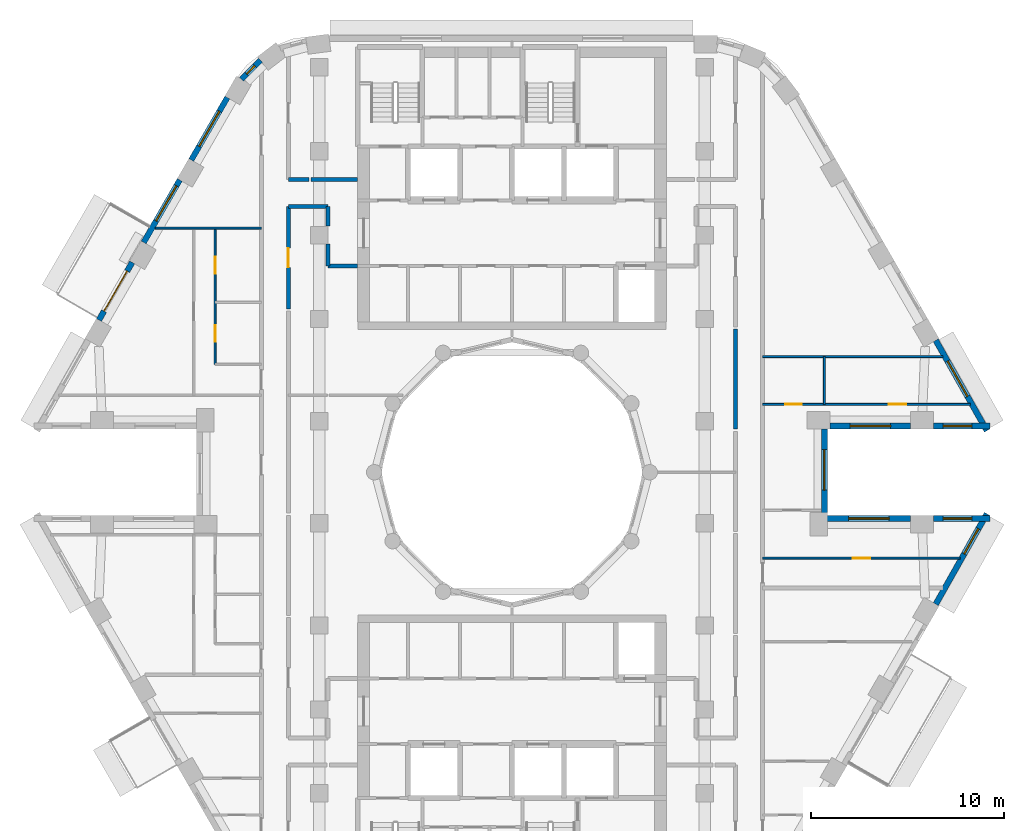
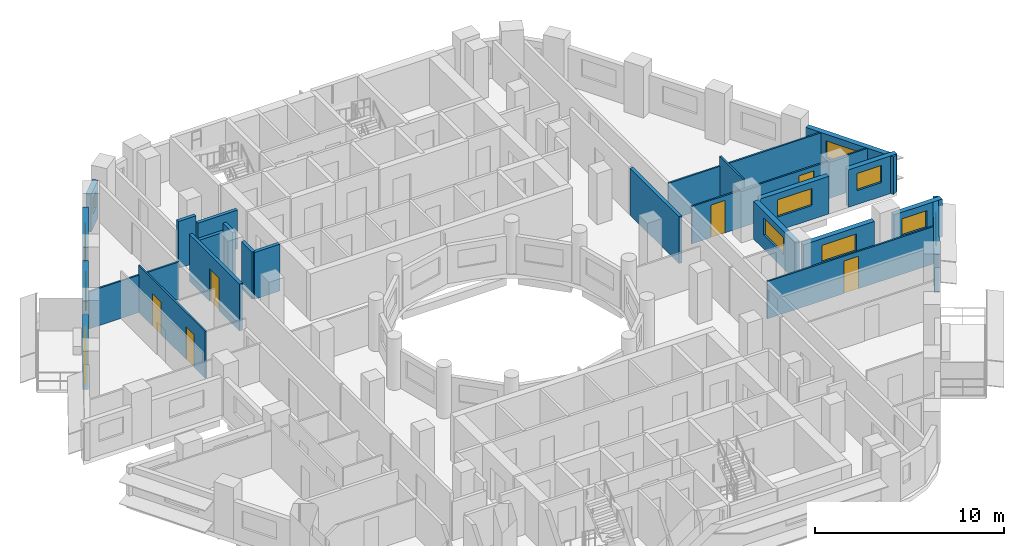
# One storey, part 7 of 17: 25 walls, 10 windows, 7 doors, 17 openings.
"""IFC4 building model written with IfcOpenShell, lengths in metres."""

from ifc_helpers import new_model, si_unit, direction, frame, frame_2d, origin, place, context, subcontext, project, spatial, rectangle, extrude, material, layer, layer_set, type_object, element, fill, save


model = new_model("IFC4")

# Units and contexts
model_context = context("Model", 3, precision=1e-05, world=origin(), true_north=direction((0.0, 1.0)))
body_context = subcontext(model_context, "Body", "Model", "MODEL_VIEW")
ifc_project = project(units=[si_unit("LENGTHUNIT", "METRE"), si_unit("AREAUNIT", "SQUARE_METRE"), si_unit("VOLUMEUNIT", "CUBIC_METRE"), si_unit("PLANEANGLEUNIT", "RADIAN"), si_unit("MASSUNIT", "GRAM", prefix="KILO")], contexts=[model_context])

# Site, building, storey
site_placement = place(None, origin())
site = spatial("IfcSite", under=ifc_project, at=site_placement, CompositionType="ELEMENT")
building_placement = place(site_placement, origin())
building = spatial("IfcBuilding", under=site, at=building_placement, Name="Nakaniwa Court", CompositionType="ELEMENT")
storey_placement = place(building_placement, frame((0.0, 0.0, 203.10009765625)))
storey = spatial("IfcBuildingStorey", under=building, at=storey_placement, Name="L53", CompositionType="ELEMENT", Elevation=203.10009765625)

# Walls
ifc_material_1 = material(Name="Acoustic double stud partition")
ifc_layer_1 = layer(ifc_material_1, 0.199951171875)
ifc_layer_set_1 = layer_set([ifc_layer_1], Name="Acoustic double stud partition")
wall_type_1 = type_object("IfcWallType", Name="Acoustic double stud partition 200", PredefinedType="PARTITIONING", material=ifc_layer_set_1)
wall_1_placement = place(storey_placement, frame((91.60009765625, 82.2373046875, 0.0), z_axis=(0.0, 0.0, 1.0), x_axis=(0.0, 1.0, 0.0)))
element("IfcWall", 1, at=wall_1_placement, inside=storey, type_object=wall_type_1, Name="Partition PW-077", PredefinedType="PARTITIONING", context=body_context, shape_type="SweptSolid", body=[
    extrude(rectangle(XDim=5.185546875, YDim=0.199951171875, at=frame_2d((2.5927734375, 0.0))), origin(), (0.0, 0.0, 1.0), 3.02490234375),
])
wall_2_placement = place(storey_placement, frame((68.39990234375, 93.77490234375, 0.0), z_axis=(0.0, 0.0, 1.0), x_axis=(1.0, 0.0, 0.0)))
element("IfcWall", 2, at=wall_2_placement, inside=storey, type_object=wall_type_1, Name="Partition PW-093", PredefinedType="PARTITIONING", context=body_context, shape_type="SweptSolid", body=[
    extrude(rectangle(XDim=2.050048828125, YDim=0.199951171875, at=frame_2d((1.02490234375, 0.0))), origin(), (0.0, 0.0, 1.0), 2.5048828125),
])
wall_3_placement = place(storey_placement, frame((70.449951171875, 90.699951171875, 0.0), z_axis=(0.0, 0.0, 1.0), x_axis=(1.0, 0.0, 0.0)))
element("IfcWall", 3, at=wall_3_placement, inside=storey, type_object=wall_type_1, Name="Partition PW-095", PredefinedType="PARTITIONING", context=body_context, shape_type="SweptSolid", body=[
    extrude(rectangle(XDim=1.550048828125, YDim=0.199951171875, at=frame_2d((0.77490234375, 0.0))), origin(), (0.0, 0.0, 1.0), 3.02490234375),
])
wall_4_placement = place(storey_placement, frame((68.39990234375, 95.175048828125, 0.0), z_axis=(0.0, 0.0, 1.0), x_axis=(1.0, 0.0, 0.0)))
element("IfcWall", 4, at=wall_4_placement, inside=storey, type_object=wall_type_1, Name="Partition PW-097", PredefinedType="PARTITIONING", context=body_context, shape_type="SweptSolid", body=[
    extrude(rectangle(XDim=1.072998046875, YDim=0.199951171875, at=frame_2d((0.53662109375, 0.0))), origin(), (0.0, 0.0, 1.0), 3.02490234375),
])
wall_5_placement = place(storey_placement, frame((69.587158203125, 95.175048828125, 0.0), z_axis=(0.0, 0.0, 1.0), x_axis=(1.0, 0.0, 0.0)))
element("IfcWall", 5, at=wall_5_placement, inside=storey, type_object=wall_type_1, Name="Partition PW-098", PredefinedType="PARTITIONING", context=body_context, shape_type="SweptSolid", body=[
    extrude(rectangle(XDim=2.412841796875, YDim=0.199951171875, at=frame_2d((1.20654296875, 0.0))), origin(), (0.0, 0.0, 1.0), 2.5048828125),
])

# Wall, opening, door
wall_6_placement = place(storey_placement, frame((68.39990234375, 93.77490234375, 0.0), z_axis=(0.0, 0.0, 1.0), x_axis=(0.0, -1.0, 0.0)))
wall_6 = element("IfcWall", 6, at=wall_6_placement, inside=storey, type_object=wall_type_1, Name="Partition PW-105", PredefinedType="PARTITIONING", context=body_context, shape_type="SweptSolid", body=[
    extrude(rectangle(XDim=5.297607421875, YDim=0.199951171875, at=frame_2d((2.64892578125, 0.0))), origin(), (0.0, 0.0, 1.0), 3.02490234375),
])
opening_1_placement = place(wall_6_placement, frame((2.14794921875, 0.0, 0.0)))
opening_1 = element("IfcOpeningElement", 7, at=opening_1_placement, cuts=wall_6, Name="Opening D-02-06", PredefinedType="OPENING", context=body_context, shape_type="SweptSolid", body=[
    extrude(rectangle(XDim=1.0, YDim=2.10009765625, at=frame_2d((0.5, 1.050048828125))), frame((0.0, 0.10986328125, 0.0), z_axis=(0.0, -1.0, 0.0), x_axis=(1.0, 0.0, 0.0)), (0.0, 0.0, 1.0), 0.219970703125),
])
ifc_material_2 = material(Name="Solid core timber door set, black veneer", Category="wood")
door_type_1 = type_object("IfcDoorType", Name="Internal door 1000", OperationType="NOTDEFINED", PredefinedType="DOOR", material=ifc_material_2)
door_1_placement = place(opening_1_placement, origin())
door_1 = element("IfcDoor", 8, at=door_1_placement, inside=storey, type_object=door_type_1, Name="Door D-02-06 L53-051", OperationType="SINGLE_SWING_RIGHT", OverallHeight=2.10009765625, OverallWidth=1.0, PredefinedType="DOOR", context=body_context, shape_type="SweptSolid", body=[
    extrude(rectangle(XDim=1.0, YDim=2.10009765625, at=frame_2d((0.5, 1.050048828125))), frame((0.0, 0.02490234375, 0.0), z_axis=(0.0, -1.0, 0.0), x_axis=(1.0, 0.0, 0.0)), (0.0, 0.0, 1.0), 0.050048828125),
])
fill(opening_1, door_1)

# Walls
wall_7_placement = place(storey_placement, frame((70.449951171875, 90.699951171875, 0.0), z_axis=(0.0, 0.0, 1.0), x_axis=(0.0, 1.0, 0.0)))
element("IfcWall", 9, at=wall_7_placement, inside=storey, type_object=wall_type_1, Name="Partition PW-110", PredefinedType="PARTITIONING", context=body_context, shape_type="SweptSolid", body=[
    extrude(rectangle(XDim=1.1328125, YDim=0.199951171875, at=frame_2d((0.56640625, 0.0))), origin(), (0.0, 0.0, 1.0), 3.02490234375),
])
wall_8_placement = place(storey_placement, frame((70.449951171875, 92.76708984375, 0.0), z_axis=(0.0, 0.0, 1.0), x_axis=(0.0, 1.0, 0.0)))
element("IfcWall", 10, at=wall_8_placement, inside=storey, type_object=wall_type_1, Name="Partition PW-111", PredefinedType="PARTITIONING", context=body_context, shape_type="SweptSolid", body=[
    extrude(rectangle(XDim=1.0078125, YDim=0.199951171875, at=frame_2d((0.50390625, 0.0))), origin(), (0.0, 0.0, 1.0), 3.02490234375),
])

# Wall, opening, window
ifc_material_3 = material(Name="Charcoal ceramic cladding")
ifc_layer_2 = layer(ifc_material_3, 0.02, Name="Ceramic cladding")
ifc_material_4 = material(Name="Ventilated air cavity")
ifc_layer_3 = layer(ifc_material_4, 0.04, ventilated=True, Name="Ventilated cavity")
ifc_material_5 = material(Name="Mineral wool insulation")
ifc_layer_4 = layer(ifc_material_5, 0.1, Name="Insulation")
ifc_material_6 = material(Name="Cement bonded sheathing board")
ifc_layer_5 = layer(ifc_material_6, 0.012, Name="Sheathing")
ifc_material_7 = material(Name="Cold-formed galvanised stud frame with mineral wool infill")
ifc_layer_6 = layer(ifc_material_7, 0.1, Name="Stud frame")
ifc_material_8 = material(Name="Fire-rated gypsum plasterboard lining")
ifc_layer_7 = layer(ifc_material_8, 0.028, Name="Lining")
ifc_layer_set_2 = layer_set([ifc_layer_2, ifc_layer_3, ifc_layer_4, ifc_layer_5, ifc_layer_6, ifc_layer_7], Name="Charcoal ceramic faced external wall system")
wall_type_2 = type_object("IfcWallType", Name="Black ceramic faced external wall 300", PredefinedType="SOLIDWALL", material=ifc_layer_set_2)
wall_9_placement = place(storey_placement, frame((96.49560546875, 82.39990234375, 0.0), z_axis=(0.0, 0.0, 1.0), x_axis=(1.0, 0.0, 0.0)))
wall_9 = element("IfcWall", 11, at=wall_9_placement, inside=storey, type_object=wall_type_2, Name="L53 external wall 00", PredefinedType="SOLIDWALL", context=body_context, shape_type="SweptSolid", body=[
    extrude(rectangle(XDim=4.17236328125, YDim=0.300048828125, at=frame_2d((2.086181640625, 0.0))), origin(), (0.0, 0.0, 1.0), 2.4248046875),
])
opening_2_placement = place(wall_9_placement, frame((1.036376953125, 0.0, 0.89990234375)))
opening_2 = element("IfcOpeningElement", 12, at=opening_2_placement, cuts=wall_9, Name="Opening W7.01", PredefinedType="OPENING", context=body_context, shape_type="SweptSolid", body=[
    extrude(rectangle(XDim=2.10009765625, YDim=1.10009765625, at=frame_2d((1.050048828125, 0.550048828125))), frame((0.0, 0.159912109375, 0.0), z_axis=(0.0, -1.0, 0.0), x_axis=(1.0, 0.0, 0.0)), (0.0, 0.0, 1.0), 0.320068359375),
])
ifc_material_9 = material(Name="Black anodised aluminium frame with dark low-E laminated double glazing", Category="aluminium")
window_type_1 = type_object("IfcWindowType", Name="Dark glass window 2100x1100 sill 900", PartitioningType="SINGLE_PANEL", PredefinedType="WINDOW", material=ifc_material_9)
window_1_placement = place(opening_2_placement, origin())
window_1 = element("IfcWindow", 13, at=window_1_placement, inside=storey, type_object=window_type_1, Name="L53 living window 00-0", OverallHeight=1.10009765625, OverallWidth=2.10009765625, PartitioningType="SINGLE_PANEL", PredefinedType="WINDOW", context=body_context, shape_type="SweptSolid", body=[
    extrude(rectangle(XDim=2.10009765625, YDim=1.10009765625, at=frame_2d((1.050048828125, 0.550048828125))), frame((0.0, 0.030029296875, 0.0), z_axis=(0.0, -1.0, 0.0), x_axis=(1.0, 0.0, 0.0)), (0.0, 0.0, 1.0), 0.06005859375),
])
fill(opening_2, window_1)

wall_10_placement = place(storey_placement, frame((101.860107421875, 82.39990234375, 0.0), z_axis=(0.0, 0.0, 1.0), x_axis=(1.0, 0.0, 0.0)))
wall_10 = element("IfcWall", 14, at=wall_10_placement, inside=storey, type_object=wall_type_2, Name="L53 external wall 01", PredefinedType="SOLIDWALL", context=body_context, shape_type="SweptSolid", body=[
    extrude(rectangle(XDim=2.937744140625, YDim=0.300048828125, at=frame_2d((1.46875, 0.0))), origin(), (0.0, 0.0, 1.0), 2.4248046875),
])
opening_3_placement = place(wall_10_placement, frame((0.493896484375, 0.0, 0.89990234375)))
opening_3 = element("IfcOpeningElement", 15, at=opening_3_placement, cuts=wall_10, Name="Opening W5.02", PredefinedType="OPENING", context=body_context, shape_type="SweptSolid", body=[
    extrude(rectangle(XDim=1.5, YDim=1.10009765625, at=frame_2d((0.75, 0.550048828125))), frame((0.0, 0.159912109375, 0.0), z_axis=(0.0, -1.0, 0.0), x_axis=(1.0, 0.0, 0.0)), (0.0, 0.0, 1.0), 0.320068359375),
])
window_type_2 = type_object("IfcWindowType", Name="Dark glass window 1500x1100 sill 900", PartitioningType="SINGLE_PANEL", PredefinedType="WINDOW", material=ifc_material_9)
window_2_placement = place(opening_3_placement, origin())
window_2 = element("IfcWindow", 16, at=window_2_placement, inside=storey, type_object=window_type_2, Name="L53 living window 01-0", OverallHeight=1.10009765625, OverallWidth=1.5, PartitioningType="SINGLE_PANEL", PredefinedType="WINDOW", context=body_context, shape_type="SweptSolid", body=[
    extrude(rectangle(XDim=1.5, YDim=1.10009765625, at=frame_2d((0.75, 0.550048828125))), frame((0.0, 0.030029296875, 0.0), z_axis=(0.0, -1.0, 0.0), x_axis=(1.0, 0.0, 0.0)), (0.0, 0.0, 1.0), 0.06005859375),
])
fill(opening_3, window_2)

wall_11_placement = place(storey_placement, frame((104.627197265625, 82.153564453125, 0.0), z_axis=(0.0, 0.0, 1.0), x_axis=(-0.492033360928, 0.870576344575, 0.0)))
wall_11 = element("IfcWall", 17, at=wall_11_placement, inside=storey, type_object=wall_type_2, Name="L53 external wall 02", PredefinedType="SOLIDWALL", context=body_context, shape_type="SweptSolid", body=[
    extrude(rectangle(XDim=5.38671875, YDim=0.300048828125, at=frame_2d((2.693359375, 0.0))), origin(), (0.0, 0.0, 1.0), 2.4248046875),
])
opening_4_placement = place(wall_11_placement, frame((2.04296875, 0.0, 0.89990234375)))
opening_4 = element("IfcOpeningElement", 18, at=opening_4_placement, cuts=wall_11, Name="Opening W7.03", PredefinedType="OPENING", context=body_context, shape_type="SweptSolid", body=[
    extrude(rectangle(XDim=2.10009765625, YDim=1.10009765625, at=frame_2d((1.050048828125, 0.550048828125))), frame((0.0, 0.159912109375, 0.0), z_axis=(0.0, -1.0, 0.0), x_axis=(1.0, 0.0, 0.0)), (0.0, 0.0, 1.0), 0.320068359375),
])
window_3_placement = place(opening_4_placement, origin())
window_3 = element("IfcWindow", 19, at=window_3_placement, inside=storey, type_object=window_type_1, Name="L53 habitable room window 02-1", OverallHeight=1.10009765625, OverallWidth=2.10009765625, PartitioningType="SINGLE_PANEL", PredefinedType="WINDOW", context=body_context, shape_type="SweptSolid", body=[
    extrude(rectangle(XDim=2.10009765625, YDim=1.10009765625, at=frame_2d((1.050048828125, 0.550048828125))), frame((0.0, 0.030029296875, 0.0), z_axis=(0.0, -1.0, 0.0), x_axis=(1.0, 0.0, 0.0)), (0.0, 0.0, 1.0), 0.06005859375),
])
fill(opening_4, window_3)

wall_12_placement = place(storey_placement, frame((66.951904296875, 101.36328125, 0.0), z_axis=(0.0, 0.0, 1.0), x_axis=(-0.70869320446, -0.705516790695, 0.0)))
wall_12 = element("IfcWall", 20, at=wall_12_placement, inside=storey, type_object=wall_type_2, Name="L53 external wall 10", PredefinedType="SOLIDWALL", context=body_context, shape_type="SweptSolid", body=[
    extrude(rectangle(XDim=1.383544921875, YDim=0.300048828125, at=frame_2d((0.69189453125, 0.0))), origin(), (0.0, 0.0, 1.0), 2.4248046875),
])
opening_5_placement = place(wall_12_placement, frame((0.407958984375, 0.0, 0.89990234375)))
opening_5 = element("IfcOpeningElement", 21, at=opening_5_placement, cuts=wall_12, Name="Opening W8.12", PredefinedType="OPENING", context=body_context, shape_type="SweptSolid", body=[
    extrude(rectangle(XDim=0.60009765625, YDim=1.10009765625, at=frame_2d((0.300048828125, 0.550048828125))), frame((0.0, 0.159912109375, 0.0), z_axis=(0.0, -1.0, 0.0), x_axis=(1.0, 0.0, 0.0)), (0.0, 0.0, 1.0), 0.320068359375),
])
window_type_3 = type_object("IfcWindowType", Name="Dark glass window 600x1100 sill 900", PartitioningType="SINGLE_PANEL", PredefinedType="WINDOW", material=ifc_material_9)
window_4_placement = place(opening_5_placement, origin())
window_4 = element("IfcWindow", 22, at=window_4_placement, inside=storey, type_object=window_type_3, Name="L53 habitable room window 10-1", OverallHeight=1.10009765625, OverallWidth=0.60009765625, PartitioningType="SINGLE_PANEL", PredefinedType="WINDOW", context=body_context, shape_type="SweptSolid", body=[
    extrude(rectangle(XDim=0.60009765625, YDim=1.10009765625, at=frame_2d((0.300048828125, 0.550048828125))), frame((0.0, 0.030029296875, 0.0), z_axis=(0.0, -1.0, 0.0), x_axis=(1.0, 0.0, 0.0)), (0.0, 0.0, 1.0), 0.06005859375),
])
fill(opening_5, window_4)

wall_13_placement = place(storey_placement, frame((65.239013671875, 99.433349609375, 0.0), z_axis=(0.0, 0.0, 1.0), x_axis=(-0.499982088007, -0.866035745032, 0.0)))
wall_13 = element("IfcWall", 23, at=wall_13_placement, inside=storey, type_object=wall_type_2, Name="L53 external wall 11", PredefinedType="SOLIDWALL", context=body_context, shape_type="SweptSolid", body=[
    extrude(rectangle(XDim=3.744384765625, YDim=0.300048828125, at=frame_2d((1.8720703125, 0.0))), origin(), (0.0, 0.0, 1.0), 2.4248046875),
])
opening_6_placement = place(wall_13_placement, frame((0.822265625, 0.0, 0.89990234375)))
opening_6 = element("IfcOpeningElement", 24, at=opening_6_placement, cuts=wall_13, Name="Opening W7.13", PredefinedType="OPENING", context=body_context, shape_type="SweptSolid", body=[
    extrude(rectangle(XDim=2.10009765625, YDim=1.10009765625, at=frame_2d((1.050048828125, 0.550048828125))), frame((0.0, 0.159912109375, 0.0), z_axis=(0.0, -1.0, 0.0), x_axis=(1.0, 0.0, 0.0)), (0.0, 0.0, 1.0), 0.320068359375),
])
window_5_placement = place(opening_6_placement, origin())
window_5 = element("IfcWindow", 25, at=window_5_placement, inside=storey, type_object=window_type_1, Name="L53 habitable room window 11-0", OverallHeight=1.10009765625, OverallWidth=2.10009765625, PartitioningType="SINGLE_PANEL", PredefinedType="WINDOW", context=body_context, shape_type="SweptSolid", body=[
    extrude(rectangle(XDim=2.10009765625, YDim=1.10009765625, at=frame_2d((1.050048828125, 0.550048828125))), frame((0.0, 0.030029296875, 0.0), z_axis=(0.0, -1.0, 0.0), x_axis=(1.0, 0.0, 0.0)), (0.0, 0.0, 1.0), 0.06005859375),
])
fill(opening_6, window_5)

wall_14_placement = place(storey_placement, frame((62.77099609375, 95.158447265625, 0.0), z_axis=(0.0, 0.0, 1.0), x_axis=(-0.500059225181, -0.86599120741, 0.0)))
wall_14 = element("IfcWall", 26, at=wall_14_placement, inside=storey, type_object=wall_type_2, Name="L53 external wall 12", PredefinedType="SOLIDWALL", context=body_context, shape_type="SweptSolid", body=[
    extrude(rectangle(XDim=3.744140625, YDim=0.300048828125, at=frame_2d((1.8720703125, 0.0))), origin(), (0.0, 0.0, 1.0), 2.4248046875),
])
opening_7_placement = place(wall_14_placement, frame((0.3544921875, 0.0, 0.89990234375)))
opening_7 = element("IfcOpeningElement", 27, at=opening_7_placement, cuts=wall_14, Name="Opening W7.14", PredefinedType="OPENING", context=body_context, shape_type="SweptSolid", body=[
    extrude(rectangle(XDim=2.10009765625, YDim=1.10009765625, at=frame_2d((1.050048828125, 0.550048828125))), frame((0.0, 0.159912109375, 0.0), z_axis=(0.0, -1.0, 0.0), x_axis=(1.0, 0.0, 0.0)), (0.0, 0.0, 1.0), 0.320068359375),
])
window_6_placement = place(opening_7_placement, origin())
window_6 = element("IfcWindow", 28, at=window_6_placement, inside=storey, type_object=window_type_1, Name="L53 habitable room window 12-0", OverallHeight=1.10009765625, OverallWidth=2.10009765625, PartitioningType="SINGLE_PANEL", PredefinedType="WINDOW", context=body_context, shape_type="SweptSolid", body=[
    extrude(rectangle(XDim=2.10009765625, YDim=1.10009765625, at=frame_2d((1.050048828125, 0.550048828125))), frame((0.0, 0.030029296875, 0.0), z_axis=(0.0, -1.0, 0.0), x_axis=(1.0, 0.0, 0.0)), (0.0, 0.0, 1.0), 0.06005859375),
])
fill(opening_7, window_6)

# Wall, opening, door
wall_15_placement = place(storey_placement, frame((60.302734375, 90.883544921875, 0.0), z_axis=(0.0, 0.0, 1.0), x_axis=(-0.499955427682, -0.866051136095, 0.0)))
wall_15 = element("IfcWall", 29, at=wall_15_placement, inside=storey, type_object=wall_type_2, Name="L53 external wall 13", PredefinedType="SOLIDWALL", context=body_context, shape_type="SweptSolid", body=[
    extrude(rectangle(XDim=3.447021484375, YDim=0.300048828125, at=frame_2d((1.7236328125, 0.0))), origin(), (0.0, 0.0, 1.0), 2.4248046875),
])
opening_8_placement = place(wall_15_placement, frame((0.5234375, 0.0, 0.0)))
opening_8 = element("IfcOpeningElement", 30, at=opening_8_placement, cuts=wall_15, Name="Opening XD13.01", PredefinedType="OPENING", context=body_context, shape_type="SweptSolid", body=[
    extrude(rectangle(XDim=2.39990234375, YDim=2.0, at=frame_2d((1.199951171875, 1.0))), frame((0.0, 0.159912109375, 0.0), z_axis=(0.0, -1.0, 0.0), x_axis=(1.0, 0.0, 0.0)), (0.0, 0.0, 1.0), 0.320068359375),
])
ifc_material_10 = material(Name="Black powder-coated aluminium frame with dark laminated glass", Category="aluminium")
door_type_2 = type_object("IfcDoorType", Name="Balcony sliding door 2400x2000", OperationType="DOUBLE_DOOR_SLIDING", PredefinedType="DOOR", material=ifc_material_10)
door_2_placement = place(opening_8_placement, origin())
door_2 = element("IfcDoor", 31, at=door_2_placement, inside=storey, type_object=door_type_2, Name="L53 balcony sliding door 01", OperationType="DOUBLE_DOOR_SLIDING", OverallHeight=2.0, OverallWidth=2.39990234375, PredefinedType="DOOR", context=body_context, shape_type="SweptSolid", body=[
    extrude(rectangle(XDim=2.39990234375, YDim=2.0, at=frame_2d((1.199951171875, 1.0))), frame((0.0, 0.02490234375, 0.0), z_axis=(0.0, -1.0, 0.0), x_axis=(1.0, 0.0, 0.0)), (0.0, 0.0, 1.0), 0.050048828125),
])
fill(opening_8, door_2)

# Wall, opening, window
wall_16_placement = place(storey_placement, frame((101.976806640625, 73.156982421875, 0.0), z_axis=(0.0, 0.0, 1.0), x_axis=(0.492033360928, 0.870576344575, 0.0)))
wall_16 = element("IfcWall", 32, at=wall_16_placement, inside=storey, type_object=wall_type_2, Name="L53 external wall 32", PredefinedType="SOLIDWALL", context=body_context, shape_type="SweptSolid", body=[
    extrude(rectangle(XDim=5.38671875, YDim=0.300048828125, at=frame_2d((2.693359375, 0.0))), origin(), (0.0, 0.0, 1.0), 2.4248046875),
])
opening_9_placement = place(wall_16_placement, frame((2.993896484375, 0.0, 0.89990234375)))
opening_9 = element("IfcOpeningElement", 33, at=opening_9_placement, cuts=wall_16, Name="Opening W5.32", PredefinedType="OPENING", context=body_context, shape_type="SweptSolid", body=[
    extrude(rectangle(XDim=1.5, YDim=1.10009765625, at=frame_2d((0.75, 0.550048828125))), frame((0.0, 0.159912109375, 0.0), z_axis=(0.0, -1.0, 0.0), x_axis=(1.0, 0.0, 0.0)), (0.0, 0.0, 1.0), 0.320068359375),
])
window_7_placement = place(opening_9_placement, origin())
window_7 = element("IfcWindow", 34, at=window_7_placement, inside=storey, type_object=window_type_2, Name="L53 habitable room window 32-2", OverallHeight=1.10009765625, OverallWidth=1.5, PartitioningType="SINGLE_PANEL", PredefinedType="WINDOW", context=body_context, shape_type="SweptSolid", body=[
    extrude(rectangle(XDim=1.5, YDim=1.10009765625, at=frame_2d((0.75, 0.550048828125))), frame((0.0, 0.030029296875, 0.0), z_axis=(0.0, -1.0, 0.0), x_axis=(1.0, 0.0, 0.0)), (0.0, 0.0, 1.0), 0.06005859375),
])
fill(opening_9, window_7)

wall_17_placement = place(storey_placement, frame((104.7978515625, 77.60009765625, 0.0), z_axis=(0.0, 0.0, 1.0), x_axis=(-1.0, 0.0, 0.0)))
wall_17 = element("IfcWall", 35, at=wall_17_placement, inside=storey, type_object=wall_type_2, Name="L53 external wall 33", PredefinedType="SOLIDWALL", context=body_context, shape_type="SweptSolid", body=[
    extrude(rectangle(XDim=2.937744140625, YDim=0.300048828125, at=frame_2d((1.46875, 0.0))), origin(), (0.0, 0.0, 1.0), 2.4248046875),
])
opening_10_placement = place(wall_17_placement, frame((0.944091796875, 0.0, 0.89990234375)))
opening_10 = element("IfcOpeningElement", 36, at=opening_10_placement, cuts=wall_17, Name="Opening W5.33", PredefinedType="OPENING", context=body_context, shape_type="SweptSolid", body=[
    extrude(rectangle(XDim=1.5, YDim=1.10009765625, at=frame_2d((0.75, 0.550048828125))), frame((0.0, 0.159912109375, 0.0), z_axis=(0.0, -1.0, 0.0), x_axis=(1.0, 0.0, 0.0)), (0.0, 0.0, 1.0), 0.320068359375),
])
window_8_placement = place(opening_10_placement, origin())
window_8 = element("IfcWindow", 37, at=window_8_placement, inside=storey, type_object=window_type_2, Name="L53 habitable room window 33-0", OverallHeight=1.10009765625, OverallWidth=1.5, PartitioningType="SINGLE_PANEL", PredefinedType="WINDOW", context=body_context, shape_type="SweptSolid", body=[
    extrude(rectangle(XDim=1.5, YDim=1.10009765625, at=frame_2d((0.75, 0.550048828125))), frame((0.0, 0.030029296875, 0.0), z_axis=(0.0, -1.0, 0.0), x_axis=(1.0, 0.0, 0.0)), (0.0, 0.0, 1.0), 0.06005859375),
])
fill(opening_10, window_8)

wall_18_placement = place(storey_placement, frame((100.66796875, 77.60009765625, 0.0), z_axis=(0.0, 0.0, 1.0), x_axis=(-1.0, 0.0, 0.0)))
wall_18 = element("IfcWall", 38, at=wall_18_placement, inside=storey, type_object=wall_type_2, Name="L53 external wall 34", PredefinedType="SOLIDWALL", context=body_context, shape_type="SweptSolid", body=[
    extrude(rectangle(XDim=4.322509765625, YDim=0.300048828125, at=frame_2d((2.1611328125, 0.0))), origin(), (0.0, 0.0, 1.0), 2.4248046875),
])
opening_11_placement = place(wall_18_placement, frame((1.111083984375, 0.0, 0.89990234375)))
opening_11 = element("IfcOpeningElement", 39, at=opening_11_placement, cuts=wall_18, Name="Opening W7.34", PredefinedType="OPENING", context=body_context, shape_type="SweptSolid", body=[
    extrude(rectangle(XDim=2.10009765625, YDim=1.10009765625, at=frame_2d((1.050048828125, 0.550048828125))), frame((0.0, 0.159912109375, 0.0), z_axis=(0.0, -1.0, 0.0), x_axis=(1.0, 0.0, 0.0)), (0.0, 0.0, 1.0), 0.320068359375),
])
window_9_placement = place(opening_11_placement, origin())
window_9 = element("IfcWindow", 40, at=window_9_placement, inside=storey, type_object=window_type_1, Name="L53 habitable room window 34-0", OverallHeight=1.10009765625, OverallWidth=2.10009765625, PartitioningType="SINGLE_PANEL", PredefinedType="WINDOW", context=body_context, shape_type="SweptSolid", body=[
    extrude(rectangle(XDim=2.10009765625, YDim=1.10009765625, at=frame_2d((1.050048828125, 0.550048828125))), frame((0.0, 0.030029296875, 0.0), z_axis=(0.0, -1.0, 0.0), x_axis=(1.0, 0.0, 0.0)), (0.0, 0.0, 1.0), 0.06005859375),
])
fill(opening_11, window_9)

wall_19_placement = place(storey_placement, frame((96.199462890625, 77.89599609375, 0.0), z_axis=(0.0, 0.0, 1.0), x_axis=(0.0, 1.0, 0.0)))
wall_19 = element("IfcWall", 41, at=wall_19_placement, inside=storey, type_object=wall_type_2, Name="L53 external wall 35", PredefinedType="SOLIDWALL", context=body_context, shape_type="SweptSolid", body=[
    extrude(rectangle(XDim=4.35791015625, YDim=0.300048828125, at=frame_2d((2.178955078125, 0.0))), origin(), (0.0, 0.0, 1.0), 2.4248046875),
])
opening_12_placement = place(wall_19_placement, frame((1.181396484375, 0.0, 0.89990234375)))
opening_12 = element("IfcOpeningElement", 42, at=opening_12_placement, cuts=wall_19, Name="Opening W7.35", PredefinedType="OPENING", context=body_context, shape_type="SweptSolid", body=[
    extrude(rectangle(XDim=2.10009765625, YDim=1.10009765625, at=frame_2d((1.050048828125, 0.550048828125))), frame((0.0, 0.159912109375, 0.0), z_axis=(0.0, -1.0, 0.0), x_axis=(1.0, 0.0, 0.0)), (0.0, 0.0, 1.0), 0.320068359375),
])
window_10_placement = place(opening_12_placement, origin())
window_10 = element("IfcWindow", 43, at=window_10_placement, inside=storey, type_object=window_type_1, Name="L53 living window 35-1", OverallHeight=1.10009765625, OverallWidth=2.10009765625, PartitioningType="SINGLE_PANEL", PredefinedType="WINDOW", context=body_context, shape_type="SweptSolid", body=[
    extrude(rectangle(XDim=2.10009765625, YDim=1.10009765625, at=frame_2d((1.050048828125, 0.550048828125))), frame((0.0, 0.030029296875, 0.0), z_axis=(0.0, -1.0, 0.0), x_axis=(1.0, 0.0, 0.0)), (0.0, 0.0, 1.0), 0.06005859375),
])
fill(opening_12, window_10)

# Wall, opening, door
ifc_material_11 = material(Name="Single stud plasterboard partition")
ifc_layer_8 = layer(ifc_material_11, 0.10009765625)
ifc_layer_set_3 = layer_set([ifc_layer_8], Name="Single stud plasterboard partition")
wall_type_3 = type_object("IfcWallType", Name="Single stud plasterboard partition 100", PredefinedType="PARTITIONING", material=ifc_layer_set_3)
wall_20_placement = place(storey_placement, frame((93.0009765625, 75.550048828125, 0.0), z_axis=(0.0, 0.0, 1.0), x_axis=(1.0, 0.0, 0.0)))
wall_20 = element("IfcWall", 44, at=wall_20_placement, inside=storey, type_object=wall_type_3, Name="Partition PW-122", PredefinedType="PARTITIONING", context=body_context, shape_type="SweptSolid", body=[
    extrude(rectangle(XDim=10.2373046875, YDim=0.10009765625, at=frame_2d((5.11865234375, 0.0))), origin(), (0.0, 0.0, 1.0), 2.40478515625),
])
opening_13_placement = place(wall_20_placement, frame((4.6689453125, 0.0, 0.0)))
opening_13 = element("IfcOpeningElement", 45, at=opening_13_placement, cuts=wall_20, Name="Opening D-33-03", PredefinedType="OPENING", context=body_context, shape_type="SweptSolid", body=[
    extrude(rectangle(XDim=0.89990234375, YDim=2.10009765625, at=frame_2d((0.449951171875, 1.050048828125))), frame((0.0, 0.06005859375, 0.0), z_axis=(0.0, -1.0, 0.0), x_axis=(1.0, 0.0, 0.0)), (0.0, 0.0, 1.0), 0.1201171875),
])
door_type_3 = type_object("IfcDoorType", Name="Internal door 900", OperationType="NOTDEFINED", PredefinedType="DOOR", material=ifc_material_2)
door_3_placement = place(opening_13_placement, origin())
door_3 = element("IfcDoor", 46, at=door_3_placement, inside=storey, type_object=door_type_3, Name="Door D-33-03 L53-036", OperationType="SINGLE_SWING_LEFT", OverallHeight=2.10009765625, OverallWidth=0.89990234375, PredefinedType="DOOR", context=body_context, shape_type="SweptSolid", body=[
    extrude(rectangle(XDim=0.89990234375, YDim=2.10009765625, at=frame_2d((0.449951171875, 1.050048828125))), frame((0.0, 0.02490234375, 0.0), z_axis=(0.0, -1.0, 0.0), x_axis=(1.0, 0.0, 0.0)), (0.0, 0.0, 1.0), 0.050048828125),
])
fill(opening_13, door_3)

# Wall, openings, doors
wall_21_placement = place(storey_placement, frame((93.0009765625, 83.52490234375, 0.0), z_axis=(0.0, 0.0, 1.0), x_axis=(1.0, 0.0, 0.0)))
wall_21 = element("IfcWall", 47, at=wall_21_placement, inside=storey, type_object=wall_type_3, Name="Partition PW-124", PredefinedType="PARTITIONING", context=body_context, shape_type="SweptSolid", body=[
    extrude(rectangle(XDim=10.771484375, YDim=0.10009765625, at=frame_2d((5.3857421875, 0.0))), origin(), (0.0, 0.0, 1.0), 2.40478515625),
])
opening_14_placement = place(wall_21_placement, frame((1.175048828125, 0.0, 0.0)))
opening_14 = element("IfcOpeningElement", 48, at=opening_14_placement, cuts=wall_21, Name="Opening D-03-02", PredefinedType="OPENING", context=body_context, shape_type="SweptSolid", body=[
    extrude(rectangle(XDim=0.85009765625, YDim=2.10009765625, at=frame_2d((0.425048828125, 1.050048828125))), frame((0.0, 0.06005859375, 0.0), z_axis=(0.0, -1.0, 0.0), x_axis=(1.0, 0.0, 0.0)), (0.0, 0.0, 1.0), 0.1201171875),
])
opening_15_placement = place(wall_21_placement, frame((6.535888671875, 0.0, 0.0)))
opening_15 = element("IfcOpeningElement", 49, at=opening_15_placement, cuts=wall_21, Name="Opening D-33-05", PredefinedType="OPENING", context=body_context, shape_type="SweptSolid", body=[
    extrude(rectangle(XDim=0.89990234375, YDim=2.10009765625, at=frame_2d((0.449951171875, 1.050048828125))), frame((0.0, 0.06005859375, 0.0), z_axis=(0.0, -1.0, 0.0), x_axis=(1.0, 0.0, 0.0)), (0.0, 0.0, 1.0), 0.1201171875),
])
ifc_material_12 = material(Name="Moisture sealed timber door set", Category="wood")
door_type_4 = type_object("IfcDoorType", Name="Bathroom door 850", OperationType="NOTDEFINED", PredefinedType="DOOR", material=ifc_material_12)
door_4_placement = place(opening_14_placement, origin())
door_4 = element("IfcDoor", 50, at=door_4_placement, inside=storey, type_object=door_type_4, Name="Door D-03-02 L53-038", OperationType="SINGLE_SWING_LEFT", OverallHeight=2.10009765625, OverallWidth=0.85009765625, PredefinedType="DOOR", context=body_context, shape_type="SweptSolid", body=[
    extrude(rectangle(XDim=0.85009765625, YDim=2.10009765625, at=frame_2d((0.425048828125, 1.050048828125))), frame((0.0, 0.02490234375, 0.0), z_axis=(0.0, -1.0, 0.0), x_axis=(1.0, 0.0, 0.0)), (0.0, 0.0, 1.0), 0.050048828125),
])
fill(opening_14, door_4)
door_5_placement = place(opening_15_placement, origin())
door_5 = element("IfcDoor", 51, at=door_5_placement, inside=storey, type_object=door_type_3, Name="Door D-33-05 L53-039", OperationType="SINGLE_SWING_RIGHT", OverallHeight=2.10009765625, OverallWidth=0.89990234375, PredefinedType="DOOR", context=body_context, shape_type="SweptSolid", body=[
    extrude(rectangle(XDim=0.89990234375, YDim=2.10009765625, at=frame_2d((0.449951171875, 1.050048828125))), frame((0.0, 0.02490234375, 0.0), z_axis=(0.0, -1.0, 0.0), x_axis=(1.0, 0.0, 0.0)), (0.0, 0.0, 1.0), 0.050048828125),
])
fill(opening_15, door_5)

# Walls
wall_22_placement = place(storey_placement, frame((96.200927734375, 83.52490234375, 0.0), z_axis=(0.0, 0.0, 1.0), x_axis=(0.0, 1.0, 0.0)))
element("IfcWall", 52, at=wall_22_placement, inside=storey, type_object=wall_type_3, Name="Partition PW-125", PredefinedType="PARTITIONING", context=body_context, shape_type="SweptSolid", body=[
    extrude(rectangle(XDim=2.47509765625, YDim=0.10009765625, at=frame_2d((1.237548828125, 0.0))), origin(), (0.0, 0.0, 1.0), 3.02490234375),
])
wall_23_placement = place(storey_placement, frame((93.001220703125, 86.0, 0.0), z_axis=(0.0, 0.0, 1.0), x_axis=(1.0, 0.0, 0.0)))
element("IfcWall", 53, at=wall_23_placement, inside=storey, type_object=wall_type_3, Name="Partition PW-126", PredefinedType="PARTITIONING", context=body_context, shape_type="SweptSolid", body=[
    extrude(rectangle(XDim=9.34228515625, YDim=0.10009765625, at=frame_2d((4.671142578125, 0.0))), origin(), (0.0, 0.0, 1.0), 2.40478515625),
])

# Wall, openings, doors
wall_24_placement = place(storey_placement, frame((64.59912109375, 92.66259765625, 0.0), z_axis=(0.0, 0.0, 1.0), x_axis=(0.0, -1.0, 0.0)))
wall_24 = element("IfcWall", 54, at=wall_24_placement, inside=storey, type_object=wall_type_3, Name="Partition PW-132", PredefinedType="PARTITIONING", context=body_context, shape_type="SweptSolid", body=[
    extrude(rectangle(XDim=7.0625, YDim=0.10009765625, at=frame_2d((3.53125, 0.0))), origin(), (0.0, 0.0, 1.0), 3.02490234375),
])
opening_16_placement = place(wall_24_placement, frame((5.032958984375, 0.0, 0.0)))
opening_16 = element("IfcOpeningElement", 55, at=opening_16_placement, cuts=wall_24, Name="Opening D-03-05", PredefinedType="OPENING", context=body_context, shape_type="SweptSolid", body=[
    extrude(rectangle(XDim=0.85009765625, YDim=2.10009765625, at=frame_2d((0.425048828125, 1.050048828125))), frame((0.0, 0.06005859375, 0.0), z_axis=(0.0, -1.0, 0.0), x_axis=(1.0, 0.0, 0.0)), (0.0, 0.0, 1.0), 0.1201171875),
])
opening_17_placement = place(wall_24_placement, frame((1.47705078125, 0.0, 0.0)))
opening_17 = element("IfcOpeningElement", 56, at=opening_17_placement, cuts=wall_24, Name="Opening D-33-10", PredefinedType="OPENING", context=body_context, shape_type="SweptSolid", body=[
    extrude(rectangle(XDim=0.89990234375, YDim=2.10009765625, at=frame_2d((0.449951171875, 1.050048828125))), frame((0.0, 0.06005859375, 0.0), z_axis=(0.0, -1.0, 0.0), x_axis=(1.0, 0.0, 0.0)), (0.0, 0.0, 1.0), 0.1201171875),
])
door_6_placement = place(opening_16_placement, origin())
door_6 = element("IfcDoor", 57, at=door_6_placement, inside=storey, type_object=door_type_4, Name="Door D-03-05 L53-053", OperationType="SINGLE_SWING_RIGHT", OverallHeight=2.10009765625, OverallWidth=0.85009765625, PredefinedType="DOOR", context=body_context, shape_type="SweptSolid", body=[
    extrude(rectangle(XDim=0.85009765625, YDim=2.10009765625, at=frame_2d((0.425048828125, 1.050048828125))), frame((0.0, 0.02490234375, 0.0), z_axis=(0.0, -1.0, 0.0), x_axis=(1.0, 0.0, 0.0)), (0.0, 0.0, 1.0), 0.050048828125),
])
fill(opening_16, door_6)
door_7_placement = place(opening_17_placement, origin())
door_7 = element("IfcDoor", 58, at=door_7_placement, inside=storey, type_object=door_type_3, Name="Door D-33-10 L53-054", OperationType="SINGLE_SWING_LEFT", OverallHeight=2.10009765625, OverallWidth=0.89990234375, PredefinedType="DOOR", context=body_context, shape_type="SweptSolid", body=[
    extrude(rectangle(XDim=0.89990234375, YDim=2.10009765625, at=frame_2d((0.449951171875, 1.050048828125))), frame((0.0, 0.02490234375, 0.0), z_axis=(0.0, -1.0, 0.0), x_axis=(1.0, 0.0, 0.0)), (0.0, 0.0, 1.0), 0.050048828125),
])
fill(opening_17, door_7)

# Wall
wall_25_placement = place(storey_placement, frame((61.503173828125, 92.662109375, 0.0), z_axis=(0.0, 0.0, 1.0), x_axis=(1.0, 0.0, 0.0)))
element("IfcWall", 59, at=wall_25_placement, inside=storey, type_object=wall_type_3, Name="Partition PW-142", PredefinedType="PARTITIONING", context=body_context, shape_type="SweptSolid", body=[
    extrude(rectangle(XDim=5.495849609375, YDim=0.10009765625, at=frame_2d((2.748046875, 0.0))), origin(), (0.0, 0.0, 1.0), 2.40478515625),
])

save(model, "model.ifc")
